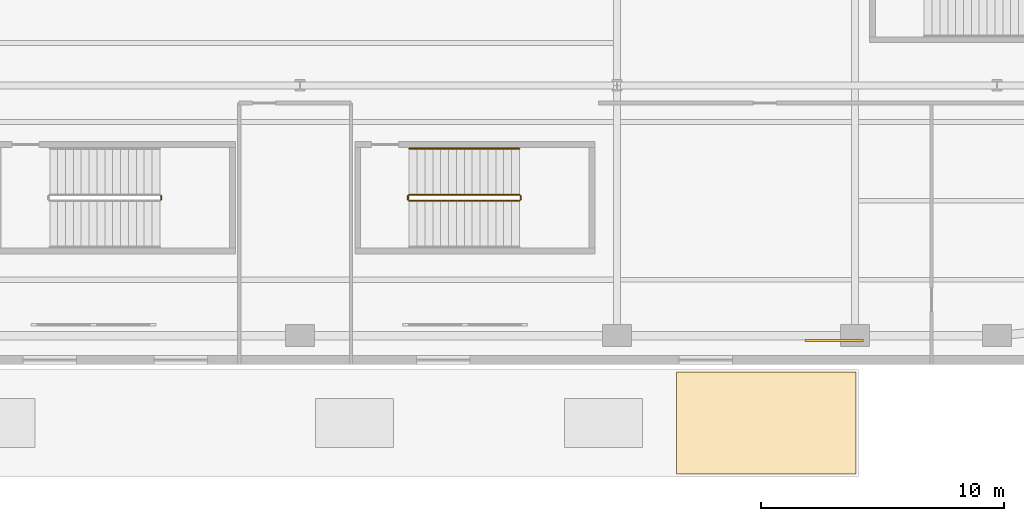
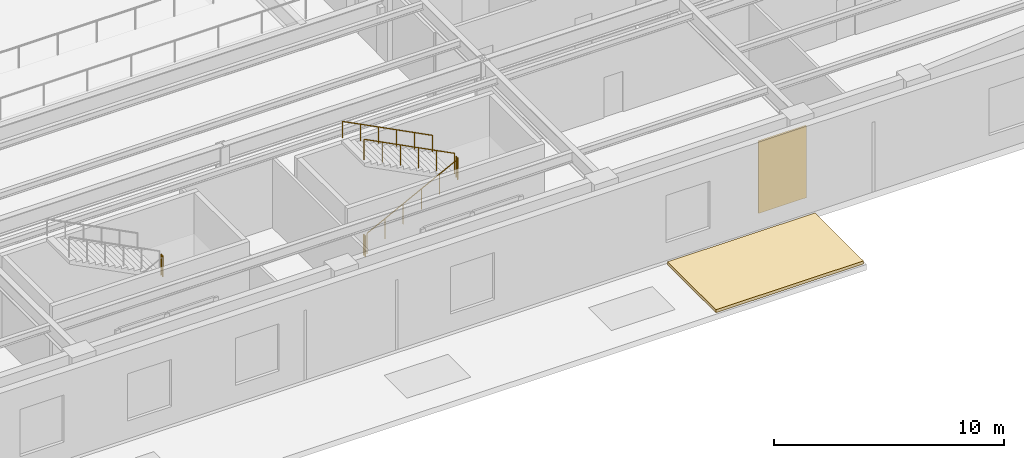
# One storey, part 16 of 24: 6 railings, 2 coverings.
"""IFC4 building model written with IfcOpenShell, lengths in metres."""

from ifc_helpers import new_model, si_unit, direction, frame, origin, origin_2d, place, context, subcontext, project, spatial, polyline, rectangle, circle, outline, extrude, material, layer, layer_set, type_object, element, save


model = new_model("IFC4")

# Units and contexts
model_context = context("Model", 3, precision=1e-05, world=origin(), true_north=direction((0.0, 1.0)))
body_context = subcontext(model_context, "Body", "Model", "MODEL_VIEW")
ifc_project = project(units=[si_unit("LENGTHUNIT", "METRE"), si_unit("AREAUNIT", "SQUARE_METRE"), si_unit("VOLUMEUNIT", "CUBIC_METRE"), si_unit("PLANEANGLEUNIT", "RADIAN"), si_unit("MASSUNIT", "GRAM", prefix="KILO")], contexts=[model_context])

# Site, building, storey
site_placement = place(None, origin())
site = spatial("IfcSite", under=ifc_project, at=site_placement, CompositionType="ELEMENT")
building_placement = place(site_placement, origin())
building = spatial("IfcBuilding", under=site, at=building_placement, Name="Kolvaren Arena Tower", CompositionType="ELEMENT")
storey_placement = place(building_placement, frame((0.0, 0.0, 8.0)))
storey = spatial("IfcBuildingStorey", under=building, at=storey_placement, Name="L01", CompositionType="ELEMENT", Elevation=8.0)

# Covering
ifc_material_1 = material(Name="Reconstituted Ontario limestone cladding panel", Category="masonry")
ifc_layer_1 = layer(ifc_material_1, 0.0849609375)
ifc_layer_set_1 = layer_set([ifc_layer_1], Name="Reconstituted Ontario limestone cladding panel")
covering_type_1 = type_object("IfcCoveringType", Name="CLAD-PRC-1", PredefinedType="CLADDING", material=ifc_layer_set_1)
covering_1_placement = place(storey_placement, frame((59.5, 1.0, 0.10009765625), z_axis=(0.0, 0.0, 1.0), x_axis=(1.0, 0.0, 0.0)))
element("IfcCovering", 1, at=covering_1_placement, inside=storey, type_object=covering_type_1, Name="Limestone Spandrel Cladding Panel 2 (L01)", PredefinedType="CLADDING", context=body_context, shape_type="SweptSolid", body=[
    extrude(rectangle(XDim=2.39990234375, YDim=0.0849609375, at=origin_2d()), origin(), (0.0, 0.0, 1.0), 3.800048828125),
])

# Railings
ifc_material_2 = material(Name="Painted galvanized steel", Category="steel")
railing_type_1 = type_object("IfcRailingType", Name="GUARD-ST-110", PredefinedType="GUARDRAIL", material=ifc_material_2)
railing_1_placement = place(storey_placement, frame((31.785888671875, 6.800048828125, 2.5)))
element("IfcRailing", 2, at=railing_1_placement, inside=storey, type_object=railing_type_1, Name="L01 ST-A2 stair guard 2", PredefinedType="GUARDRAIL", context=body_context, shape_type="SweptSolid", body=[
    extrude(circle(Radius=0.02392578125, at=origin_2d()), frame((0.0, 0.0, 1.076171875), z_axis=(0.0, 1.0, 0.0), x_axis=(-1.0, 0.0, 0.0)), (0.0, 0.0, 1.0), 0.14990234375),
    extrude(circle(Radius=0.02099609375, at=origin_2d()), origin(), (0.0, 0.0, 1.0), 1.052001953125),
    extrude(circle(Radius=0.02099609375, at=origin_2d()), frame((0.0, 0.14990234375, 0.0)), (0.0, 0.0, 1.0), 1.052001953125),
])
railing_2_placement = place(storey_placement, frame((42.0, 6.75, 0.166748046875)))
element("IfcRailing", 3, at=railing_2_placement, inside=storey, type_object=railing_type_1, Name="L01 ST-A3 stair guard 1", PredefinedType="GUARDRAIL", context=body_context, shape_type="SweptSolid", body=[
    extrude(circle(Radius=0.02392578125, at=origin_2d()), frame((0.0, 0.0, 1.076171875), z_axis=(0.889247197123, 0.0, 0.45742695855), x_axis=(0.0, 1.0, 0.0)), (0.0, 0.0, 1.0), 5.100830078125),
    extrude(circle(Radius=0.02099609375, at=origin_2d()), origin(), (0.0, 0.0, 1.0), 1.052001953125),
    extrude(circle(Radius=0.02099609375, at=origin_2d()), frame((0.9072265625, 0.0, 0.466552734375)), (0.0, 0.0, 1.0), 1.052001953125),
    extrude(circle(Radius=0.02099609375, at=origin_2d()), frame((1.814453125, 0.0, 0.933349609375)), (0.0, 0.0, 1.0), 1.052001953125),
    extrude(circle(Radius=0.02099609375, at=origin_2d()), frame((2.721435546875, 0.0, 1.39990234375)), (0.0, 0.0, 1.0), 1.052001953125),
    extrude(circle(Radius=0.02099609375, at=origin_2d()), frame((3.628662109375, 0.0, 1.86669921875)), (0.0, 0.0, 1.0), 1.052001953125),
    extrude(circle(Radius=0.02099609375, at=origin_2d()), frame((4.535888671875, 0.0, 2.333251953125)), (0.0, 0.0, 1.0), 1.052001953125),
])
railing_3_placement = place(storey_placement, frame((46.5859375, 6.800048828125, 2.5)))
element("IfcRailing", 4, at=railing_3_placement, inside=storey, type_object=railing_type_1, Name="L01 ST-A3 stair guard 2", PredefinedType="GUARDRAIL", context=body_context, shape_type="SweptSolid", body=[
    extrude(circle(Radius=0.02392578125, at=origin_2d()), frame((0.0, 0.0, 1.076171875), z_axis=(0.0, 1.0, 0.0), x_axis=(-1.0, 0.0, 0.0)), (0.0, 0.0, 1.0), 0.14990234375),
    extrude(circle(Radius=0.02099609375, at=origin_2d()), origin(), (0.0, 0.0, 1.0), 1.052001953125),
    extrude(circle(Radius=0.02099609375, at=origin_2d()), frame((0.0, 0.14990234375, 0.0)), (0.0, 0.0, 1.0), 1.052001953125),
])
railing_4_placement = place(storey_placement, frame((46.535888671875, 7.0, 2.666748046875)))
element("IfcRailing", 5, at=railing_4_placement, inside=storey, type_object=railing_type_1, Name="L01 ST-A3 stair guard 3", PredefinedType="GUARDRAIL", context=body_context, shape_type="SweptSolid", body=[
    extrude(circle(Radius=0.02392578125, at=origin_2d()), frame((0.0, 0.0, 1.076171875), z_axis=(-0.889247197123, 0.0, 0.45742695855), x_axis=(0.0, -1.0, 0.0)), (0.0, 0.0, 1.0), 5.100830078125),
    extrude(circle(Radius=0.02099609375, at=origin_2d()), origin(), (0.0, 0.0, 1.0), 1.052001953125),
    extrude(circle(Radius=0.02099609375, at=origin_2d()), frame((-0.9072265625, 0.0, 0.466552734375)), (0.0, 0.0, 1.0), 1.052001953125),
    extrude(circle(Radius=0.02099609375, at=origin_2d()), frame((-1.814453125, 0.0, 0.933349609375)), (0.0, 0.0, 1.0), 1.052001953125),
    extrude(circle(Radius=0.02099609375, at=origin_2d()), frame((-2.721435546875, 0.0, 1.39990234375)), (0.0, 0.0, 1.0), 1.052001953125),
    extrude(circle(Radius=0.02099609375, at=origin_2d()), frame((-3.628662109375, 0.0, 1.86669921875)), (0.0, 0.0, 1.0), 1.052001953125),
    extrude(circle(Radius=0.02099609375, at=origin_2d()), frame((-4.535888671875, 0.0, 2.333251953125)), (0.0, 0.0, 1.0), 1.052001953125),
])
railing_5_placement = place(storey_placement, frame((41.949951171875, 6.800048828125, 0.0)))
element("IfcRailing", 6, at=railing_5_placement, inside=storey, type_object=railing_type_1, Name="L01 ST-A3 stair guard 4", PredefinedType="GUARDRAIL", context=body_context, shape_type="SweptSolid", body=[
    extrude(circle(Radius=0.02392578125, at=origin_2d()), frame((0.0, 0.0, 1.076171875), z_axis=(0.0, 1.0, 0.0), x_axis=(-1.0, 0.0, 0.0)), (0.0, 0.0, 1.0), 0.14990234375),
    extrude(circle(Radius=0.02099609375, at=origin_2d()), origin(), (0.0, 0.0, 1.0), 1.052001953125),
    extrude(circle(Radius=0.02099609375, at=origin_2d()), frame((0.0, 0.14990234375, 0.0)), (0.0, 0.0, 1.0), 1.052001953125),
])
ifc_material_3 = material(Name="Brushed stainless steel handrail", Category="steel")
railing_type_2 = type_object("IfcRailingType", Name="HRAIL-900", PredefinedType="HANDRAIL", material=ifc_material_3)
railing_6_placement = place(storey_placement, frame((46.535888671875, 8.89990234375, 2.666748046875)))
element("IfcRailing", 7, at=railing_6_placement, inside=storey, type_object=railing_type_2, Name="L01 ST-A3 stair handrail 2", PredefinedType="HANDRAIL", context=body_context, shape_type="SweptSolid", body=[
    extrude(circle(Radius=0.02392578125, at=origin_2d()), frame((0.0, 0.0, 0.8759765625), z_axis=(-0.889247197123, 0.0, 0.45742695855), x_axis=(0.0, -1.0, 0.0)), (0.0, 0.0, 1.0), 5.100830078125),
    extrude(circle(Radius=0.02099609375, at=origin_2d()), origin(), (0.0, 0.0, 1.0), 0.851806640625),
    extrude(circle(Radius=0.02099609375, at=origin_2d()), frame((-0.9072265625, 0.0, 0.466552734375)), (0.0, 0.0, 1.0), 0.851806640625),
    extrude(circle(Radius=0.02099609375, at=origin_2d()), frame((-1.814453125, 0.0, 0.933349609375)), (0.0, 0.0, 1.0), 0.851806640625),
    extrude(circle(Radius=0.02099609375, at=origin_2d()), frame((-2.721435546875, 0.0, 1.39990234375)), (0.0, 0.0, 1.0), 0.851806640625),
    extrude(circle(Radius=0.02099609375, at=origin_2d()), frame((-3.628662109375, 0.0, 1.86669921875)), (0.0, 0.0, 1.0), 0.851806640625),
    extrude(circle(Radius=0.02099609375, at=origin_2d()), frame((-4.535888671875, 0.0, 2.333251953125)), (0.0, 0.0, 1.0), 0.851806640625),
])

# Covering
ifc_material_4 = material(Name="Insulated cold-climate EPDM roof assembly", Category="concrete")
ifc_layer_2 = layer(ifc_material_4, 0.159912109375)
ifc_layer_set_2 = layer_set([ifc_layer_2], Name="Insulated cold-climate EPDM roof assembly")
covering_type_2 = type_object("IfcCoveringType", Name="ROOF-MEM-1", PredefinedType="ROOFING", material=ifc_layer_set_2)
covering_2_placement = place(storey_placement, origin())
element("IfcCovering", 8, at=covering_2_placement, inside=storey, type_object=covering_type_2, Name="Cold-Climate Insulated EPDM Roof Assembly 4 (L01)", PredefinedType="ROOFING", context=body_context, shape_type="SweptSolid", body=[
    extrude(outline(polyline([(53.0, -4.5), (60.39990234375, -4.5), (60.39990234375, -0.300048828125), (53.0, -0.300048828125), (53.0, -4.5)])), origin(), (0.0, 0.0, 1.0), 0.159912109375),
])

save(model, "model.ifc")
